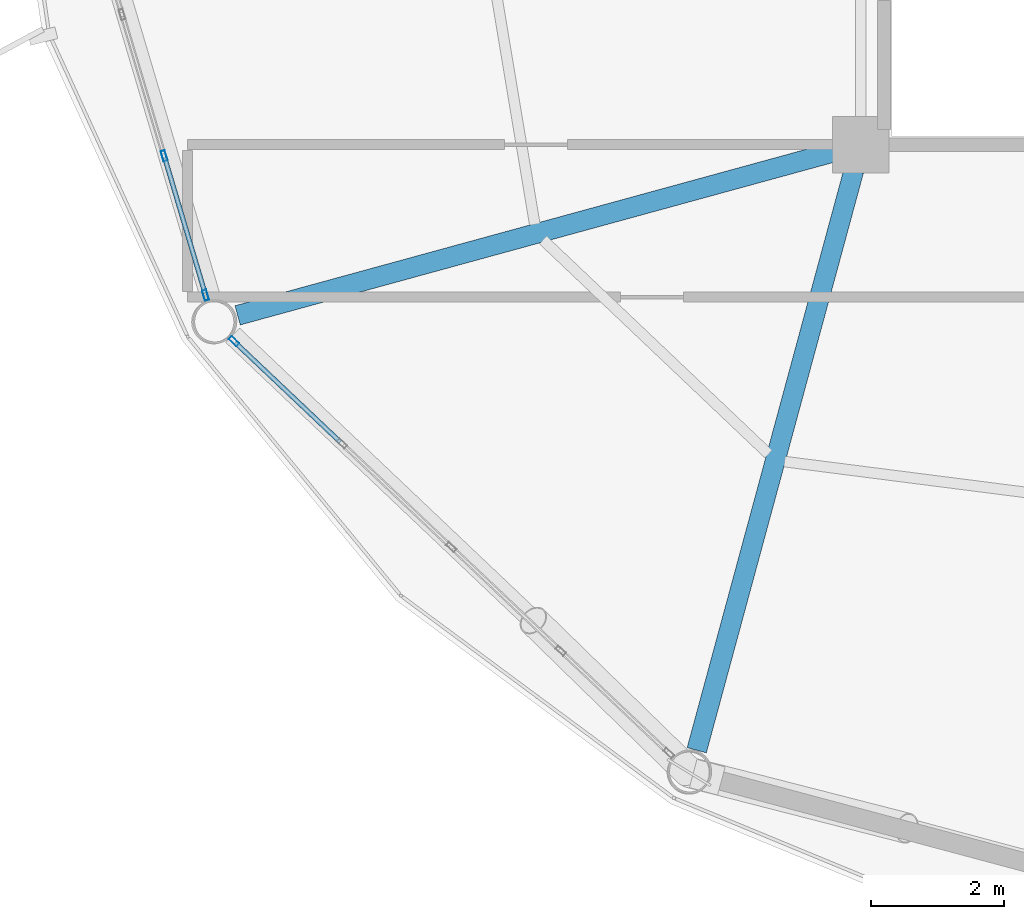
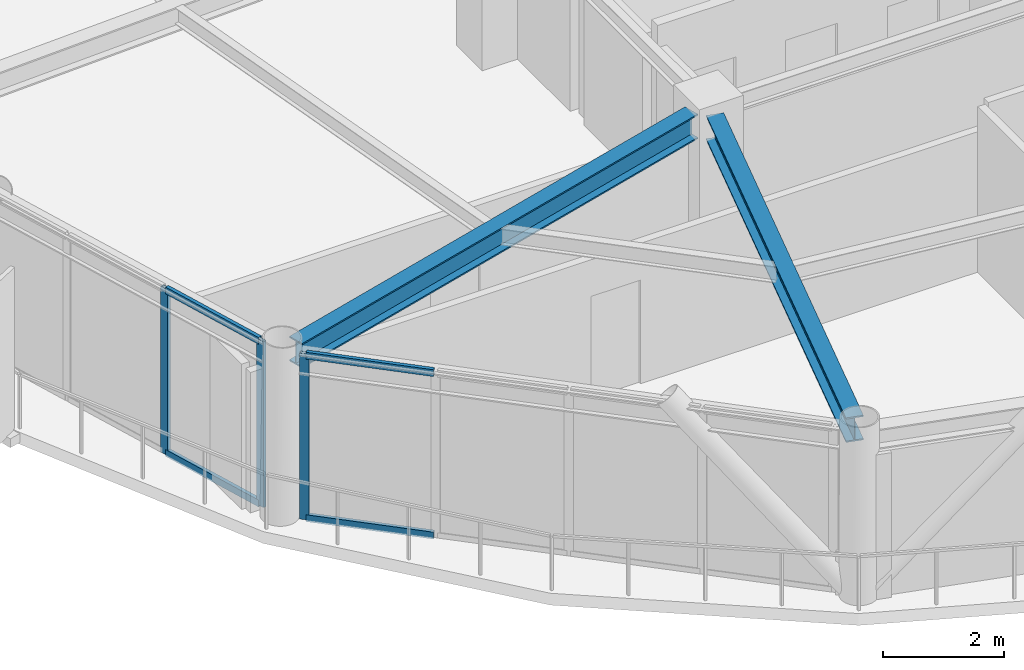
# One storey, part 4 of 29: 7 members, 2 beams, 2 elements without a shape of their own.
"""IFC4 building model written with IfcOpenShell, lengths in metres."""

from ifc_helpers import new_model, si_unit, direction, frame, origin, origin_2d, place, context, subcontext, project, spatial, hollow_rectangle, i_section, extrude, material, layer, layer_set, material_profile, profile_set, type_object, element, aggregate, save


model = new_model("IFC4")

# Units and contexts
model_context = context("Model", 3, precision=1e-05, world=origin(), true_north=direction((0.0, 1.0)))
body_context = subcontext(model_context, "Body", "Model", "MODEL_VIEW")
ifc_project = project(units=[si_unit("LENGTHUNIT", "METRE"), si_unit("AREAUNIT", "SQUARE_METRE"), si_unit("VOLUMEUNIT", "CUBIC_METRE"), si_unit("PLANEANGLEUNIT", "RADIAN"), si_unit("MASSUNIT", "GRAM", prefix="KILO")], contexts=[model_context])

# Site, building, storey
site_placement = place(None, origin())
site = spatial("IfcSite", under=ifc_project, at=site_placement, CompositionType="ELEMENT")
building_placement = place(site_placement, origin())
building = spatial("IfcBuilding", under=site, at=building_placement, Name="Varnakorn Sky Granary", CompositionType="ELEMENT")
storey_placement = place(building_placement, frame((0.0, 0.0, 182.39990234375)))
storey = spatial("IfcBuildingStorey", under=building, at=storey_placement, Name="L45", CompositionType="ELEMENT", Elevation=182.39990234375)

# Beams
ifc_material_1 = material(Name="Steel S355JR", Category="steel")
ifc_material_profile_1 = material_profile(ifc_material_1, i_section(OverallWidth=0.300048828125, OverallDepth=0.5, WebThickness=0.014404296875, FlangeThickness=0.028076171875, at=origin_2d()), Name="HE 500 B")
ifc_profile_set_1 = profile_set([ifc_material_profile_1], Name="Steel S355JR")
beam_type = type_object("IfcBeamType", Name="BM-RAD-Z4", PredefinedType="BEAM", material=ifc_profile_set_1)
beam_1_placement = place(storey_placement, frame((-2.740478515625, -6.70703125, 3.110107421875), z_axis=(-0.964470519728, -0.264190492971, 0.0), x_axis=(0.264190492971, -0.964470519728, 0.0)))
element("IfcBeam", 1, at=beam_1_placement, inside=storey, type_object=beam_type, Name="Radial Floor Girder RG08 L45", PredefinedType="BEAM", context=body_context, shape_type="SweptSolid", body=[
    extrude(i_section(OverallWidth=0.300048828125, OverallDepth=0.5, WebThickness=0.014404296875, FlangeThickness=0.028076171875, at=origin_2d()), origin(), (0.0, 0.0, 1.0), 9.33544921875),
])
beam_2_placement = place(storey_placement, frame((-2.455810546875, -6.990966796875, 3.110107421875), z_axis=(-0.261537959363, -0.965193190927, 0.0), x_axis=(0.965193190927, -0.261537959363, 0.0)))
element("IfcBeam", 2, at=beam_2_placement, inside=storey, type_object=beam_type, Name="Radial Floor Girder RG09 L45", PredefinedType="BEAM", context=body_context, shape_type="SweptSolid", body=[
    extrude(i_section(OverallWidth=0.300048828125, OverallDepth=0.5, WebThickness=0.014404296875, FlangeThickness=0.028076171875, at=origin_2d()), origin(), (0.0, 0.0, 1.0), 9.052978515625),
])

# Curtain wall, members
ifc_material_2 = material(Name="Anodised Bronze Aluminium Alloy 6063-T6", Category="aluminium")
ifc_layer = layer(ifc_material_2, 0.169921875, Name="Anodised Bronze Aluminium Alloy 6063-T6")
ifc_layer_set = layer_set([ifc_layer], Name="Anodised Bronze Aluminium Alloy 6063-T6")
curtain_wall_type = type_object("IfcCurtainWallType", Name="CW-LAB-1", PredefinedType="USERDEFINED", material=ifc_layer_set)
curtain_wall_1_placement = place(storey_placement, origin())
curtain_wall_1 = element("IfcCurtainWall", 3, at=curtain_wall_1_placement, inside=storey, type_object=curtain_wall_type, Name="Unitised Curtain Wall CW5 CW-L45-B07", ObjectType="CURTAIN WALL", PredefinedType="USERDEFINED")
ifc_material_profile_2 = material_profile(ifc_material_2, hollow_rectangle(XDim=0.06494140625, YDim=0.159912109375, WallThickness=0.00341796875, at=origin_2d()), Name="ALU MULL 65x160")
ifc_profile_set_2 = profile_set([ifc_material_profile_2], Name="Anodised Bronze Aluminium Alloy 6063-T6")
member_type_1 = type_object("IfcMemberType", Name="CW-LAB-1-MULL", PredefinedType="MULLION", material=ifc_profile_set_2)
member_1_placement = place(storey_placement, frame((-12.227294921875, -8.86865234375, 0.0), z_axis=(0.0, 0.0, 1.0), x_axis=(-0.958503400255, -0.285081096707, 0.0)))
member_1 = element("IfcMember", 4, at=member_1_placement, type_object=member_type_1, Name="CW5 mullion 1", PredefinedType="MULLION", context=body_context, shape_type="SweptSolid", body=[
    extrude(hollow_rectangle(XDim=0.06494140625, YDim=0.159912109375, WallThickness=0.00341796875, at=origin_2d()), origin(), (0.0, 0.0, 1.0), 3.360107421875),
])
member_2_placement = place(storey_placement, frame((-12.85205078125, -6.768310546875, 0.0), z_axis=(0.0, 0.0, 1.0), x_axis=(-0.958503400255, -0.285081096707, 0.0)))
member_2 = element("IfcMember", 5, at=member_2_placement, type_object=member_type_1, Name="CW5 mullion 2", PredefinedType="MULLION", context=body_context, shape_type="SweptSolid", body=[
    extrude(hollow_rectangle(XDim=0.06494140625, YDim=0.159912109375, WallThickness=0.00341796875, at=origin_2d()), origin(), (0.0, 0.0, 1.0), 3.360107421875),
])

# Curtain wall, member
curtain_wall_2_placement = place(storey_placement, origin())
curtain_wall_2 = element("IfcCurtainWall", 6, at=curtain_wall_2_placement, inside=storey, type_object=curtain_wall_type, Name="Unitised Curtain Wall CW5 CW-L45-B08", ObjectType="CURTAIN WALL", PredefinedType="USERDEFINED")
member_3_placement = place(storey_placement, frame((-11.800048828125, -9.56396484375, 0.0), z_axis=(0.0, 0.0, 1.0), x_axis=(-0.687692477005, -0.726002105418, 0.0)))
member_3 = element("IfcMember", 7, at=member_3_placement, type_object=member_type_1, Name="CW5 mullion 5", PredefinedType="MULLION", context=body_context, shape_type="SweptSolid", body=[
    extrude(hollow_rectangle(XDim=0.06494140625, YDim=0.159912109375, WallThickness=0.00341796875, at=origin_2d()), origin(), (0.0, 0.0, 1.0), 3.360107421875),
])

# Member
ifc_material_profile_3 = material_profile(ifc_material_2, hollow_rectangle(XDim=0.070068359375, YDim=0.139892578125, WallThickness=0.00341796875, at=origin_2d()), Name="ALU TRAN 70x140")
ifc_profile_set_3 = profile_set([ifc_material_profile_3], Name="Anodised Bronze Aluminium Alloy 6063-T6")
member_type_2 = type_object("IfcMemberType", Name="CW-LAB-1-TRAN", PredefinedType="USERDEFINED", material=ifc_profile_set_3)
member_4_placement = place(storey_placement, frame((-12.236572265625, -8.83740234375, 0.03515625), z_axis=(-0.285092866619, 0.958499899532, 0.0), x_axis=(-0.958499899532, -0.285092866619, 0.0)))
member_4 = element("IfcMember", 8, at=member_4_placement, type_object=member_type_2, Name="CW5 transom 1.1", ObjectType="TRANSOM", PredefinedType="USERDEFINED", context=body_context, shape_type="SweptSolid", body=[
    extrude(hollow_rectangle(XDim=0.070068359375, YDim=0.139892578125, WallThickness=0.00341796875, at=origin_2d()), origin(), (0.0, 0.0, 1.0), 2.126220703125),
])

member_5_placement = place(storey_placement, frame((-12.236572265625, -8.83740234375, 3.3251953125), z_axis=(-0.285092866619, 0.958499899532, 0.0), x_axis=(-0.958499899532, -0.285092866619, 0.0)))
member_5 = element("IfcMember", 9, at=member_5_placement, type_object=member_type_2, Name="CW5 transom 1.2", ObjectType="TRANSOM", PredefinedType="USERDEFINED", context=body_context, shape_type="SweptSolid", body=[
    extrude(hollow_rectangle(XDim=0.070068359375, YDim=0.139892578125, WallThickness=0.00341796875, at=origin_2d()), origin(), (0.0, 0.0, 1.0), 2.126220703125),
])

aggregate(curtain_wall_1, [member_1, member_2, member_4, member_5])

member_6_placement = place(storey_placement, frame((-10.197265625, -11.08251953125, 0.03515625), z_axis=(-0.725982172965, 0.687713519234, 0.0), x_axis=(-0.687713519234, -0.725982172965, 0.0)))
member_6 = element("IfcMember", 10, at=member_6_placement, type_object=member_type_2, Name="CW5 transom 4.1", ObjectType="TRANSOM", PredefinedType="USERDEFINED", context=body_context, shape_type="SweptSolid", body=[
    extrude(hollow_rectangle(XDim=0.070068359375, YDim=0.139892578125, WallThickness=0.00341796875, at=origin_2d()), origin(), (0.0, 0.0, 1.0), 2.175537109375),
])

member_7_placement = place(storey_placement, frame((-10.197265625, -11.08251953125, 3.3251953125), z_axis=(-0.725982172965, 0.687713519234, 0.0), x_axis=(-0.687713519234, -0.725982172965, 0.0)))
member_7 = element("IfcMember", 11, at=member_7_placement, type_object=member_type_2, Name="CW5 transom 4.2", ObjectType="TRANSOM", PredefinedType="USERDEFINED", context=body_context, shape_type="SweptSolid", body=[
    extrude(hollow_rectangle(XDim=0.070068359375, YDim=0.139892578125, WallThickness=0.00341796875, at=origin_2d()), origin(), (0.0, 0.0, 1.0), 2.175537109375),
])

aggregate(curtain_wall_2, [member_3, member_6, member_7])

save(model, "model.ifc")
